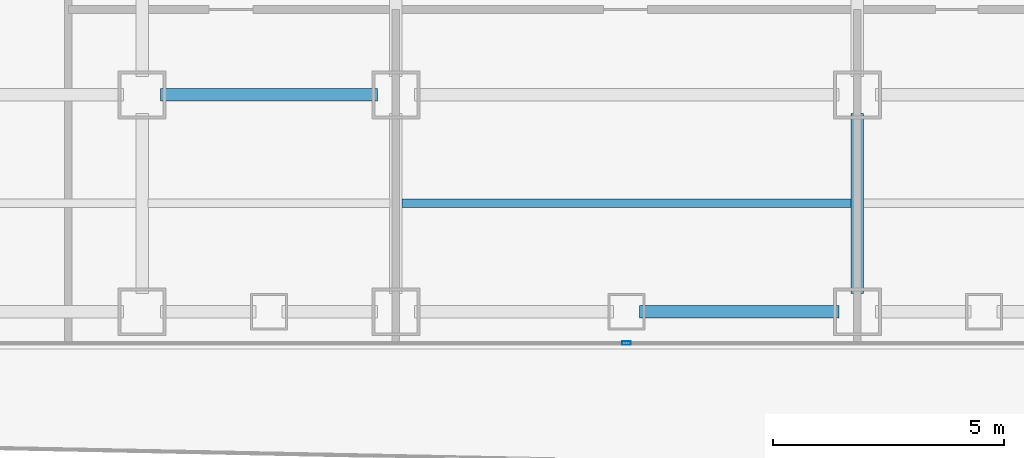
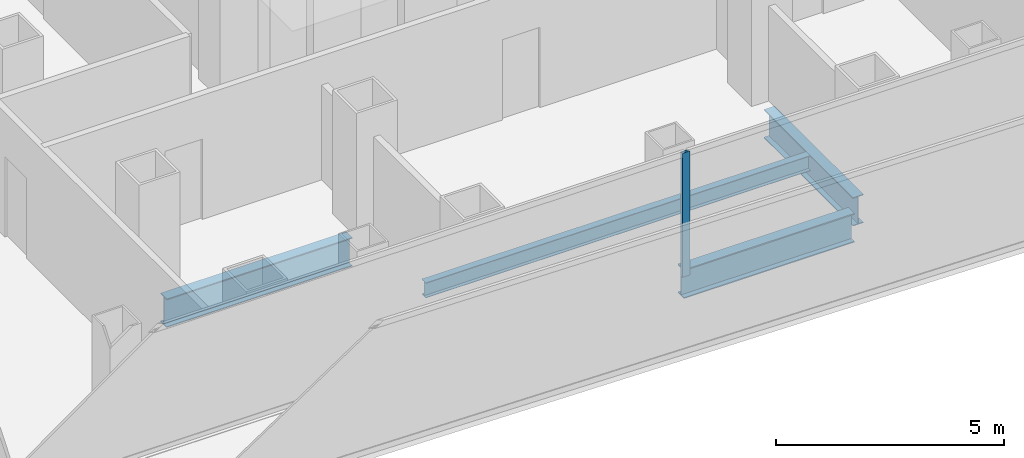
# One storey, part 4 of 21: 4 beams, 1 member, 1 element without a shape of its own.
"""IFC4 building model written with IfcOpenShell, lengths in metres."""

from ifc_helpers import new_model, si_unit, direction, frame, origin, origin_2d, place, context, subcontext, project, spatial, hollow_rectangle, i_section, extrude, source, transform, mapped, material, layer, layer_set, material_profile, profile_set, type_object, element, aggregate, save


model = new_model("IFC4")

# Units and contexts
model_context = context("Model", 3, precision=1e-05, world=origin(), true_north=direction((0.0, 1.0)))
body_context = subcontext(model_context, "Body", "Model", "MODEL_VIEW")
ifc_project = project(units=[si_unit("LENGTHUNIT", "METRE"), si_unit("AREAUNIT", "SQUARE_METRE"), si_unit("VOLUMEUNIT", "CUBIC_METRE"), si_unit("PLANEANGLEUNIT", "RADIAN"), si_unit("MASSUNIT", "GRAM", prefix="KILO")], contexts=[model_context])

# Site, building, storey
site_placement = place(None, origin())
site = spatial("IfcSite", under=ifc_project, at=site_placement, CompositionType="ELEMENT")
building_placement = place(site_placement, origin())
building = spatial("IfcBuilding", under=site, at=building_placement, Name="Kolveth Station Tower", CompositionType="ELEMENT")
storey_placement = place(building_placement, frame((0.0, 0.0, 29.699951171875)))
storey = spatial("IfcBuildingStorey", under=building, at=storey_placement, Name="L07", CompositionType="ELEMENT", Elevation=29.699951171875)

# Beams
ifc_material_1 = material(Name="Steel S355", Category="steel")
ifc_material_profile_1 = material_profile(ifc_material_1, i_section(OverallWidth=0.26904296875, OverallDepth=0.77490234375, WebThickness=0.01708984375, FlangeThickness=0.0283203125, at=origin_2d()), Name="W760x220")
ifc_profile_set_1 = profile_set([ifc_material_profile_1], Name="Steel S355")
beam_type_1 = type_object("IfcBeamType", Name="Beam_SP1", PredefinedType="SPANDREL", material=ifc_profile_set_1)
shared_shape_1 = source(origin(), body_context, "Body", "SweptSolid", [
    extrude(i_section(OverallWidth=0.26904296875, OverallDepth=0.77490234375, WebThickness=0.01708984375, FlangeThickness=0.0283203125, at=origin_2d()), origin(), (0.0, 0.0, 1.0), 4.320068359375),
])
beam_1_placement = place(storey_placement, frame((23.780029296875, 0.800048828125, -0.66748046875), z_axis=(1.0, 0.0, 0.0), x_axis=(0.0, 1.0, 0.0)))
element("IfcBeam", 1, at=beam_1_placement, inside=storey, type_object=beam_type_1, Name="L07 Perimeter Spandrel BM-L07-PS-6", PredefinedType="SPANDREL", context=body_context, shape_type="MappedRepresentation", body=[
    mapped(shared_shape_1, transform((0.0, 0.0, 0.0), x_axis=(1.0, 0.0, 0.0), y_axis=(0.0, 1.0, 0.0), z_axis=(0.0, 0.0, 1.0), scale=1.0)),
])
ifc_material_profile_2 = material_profile(ifc_material_1, i_section(OverallWidth=0.26708984375, OverallDepth=0.76611328125, WebThickness=0.014892578125, FlangeThickness=0.023681640625, at=origin_2d()), Name="W760x185")
ifc_profile_set_2 = profile_set([ifc_material_profile_2], Name="Steel S355")
beam_type_2 = type_object("IfcBeamType", Name="Beam_B3", PredefinedType="BEAM", material=ifc_profile_set_2)
shared_shape_2 = source(origin(), body_context, "Body", "SweptSolid", [
    extrude(i_section(OverallWidth=0.26708984375, OverallDepth=0.76611328125, WebThickness=0.014892578125, FlangeThickness=0.023681640625, at=origin_2d()), origin(), (0.0, 0.0, 1.0), 4.7001953125),
])
beam_2_placement = place(storey_placement, frame((13.39990234375, 5.5, -0.662841796875), z_axis=(1.0, 0.0, 0.0), x_axis=(0.0, 1.0, 0.0)))
element("IfcBeam", 2, at=beam_2_placement, inside=storey, type_object=beam_type_2, Name="L07 Primary Girder BM-L07-GY55-3", PredefinedType="BEAM", context=body_context, shape_type="MappedRepresentation", body=[
    mapped(shared_shape_2, transform((0.0, 0.0, 0.0), x_axis=(1.0, 0.0, 0.0), y_axis=(0.0, 1.0, 0.0), z_axis=(0.0, 0.0, 1.0), scale=1.0)),
])
shared_shape_3 = source(origin(), body_context, "Body", "SweptSolid", [
    extrude(i_section(OverallWidth=0.26708984375, OverallDepth=0.76611328125, WebThickness=0.014892578125, FlangeThickness=0.023681640625, at=origin_2d()), origin(), (0.0, 0.0, 1.0), 3.900146484375),
])
beam_3_placement = place(storey_placement, frame((28.5, 1.199951171875, -0.662841796875), z_axis=(0.0, 1.0, 0.0), x_axis=(-1.0, 0.0, 0.0)))
element("IfcBeam", 3, at=beam_3_placement, inside=storey, type_object=beam_type_2, Name="L07 Primary Girder BM-L07-GX285-1", PredefinedType="BEAM", context=body_context, shape_type="MappedRepresentation", body=[
    mapped(shared_shape_3, transform((0.0, 0.0, 0.0), x_axis=(1.0, 0.0, 0.0), y_axis=(0.0, 1.0, 0.0), z_axis=(0.0, 0.0, 1.0), scale=1.0)),
])
ifc_material_profile_3 = material_profile(ifc_material_1, i_section(OverallWidth=0.177978515625, OverallDepth=0.406982421875, WebThickness=0.0078125, FlangeThickness=0.0126953125, at=origin_2d()), Name="W410x60")
ifc_profile_set_3 = profile_set([ifc_material_profile_3], Name="Steel S355")
beam_type_3 = type_object("IfcBeamType", Name="Beam_J1", PredefinedType="JOIST", material=ifc_profile_set_3)
shared_shape_4 = source(origin(), body_context, "Body", "SweptSolid", [
    extrude(i_section(OverallWidth=0.177978515625, OverallDepth=0.406982421875, WebThickness=0.0078125, FlangeThickness=0.0126953125, at=origin_2d()), origin(), (0.0, 0.0, 1.0), 9.73681640625),
])
beam_4_placement = place(storey_placement, frame((18.631591796875, 3.14990234375, -0.4833984375), z_axis=(1.0, 0.0, 0.0), x_axis=(0.0, 1.0, 0.0)))
element("IfcBeam", 4, at=beam_4_placement, inside=storey, type_object=beam_type_3, Name="L07 Secondary Joist JST-L07-4-1", PredefinedType="JOIST", context=body_context, shape_type="MappedRepresentation", body=[
    mapped(shared_shape_4, transform((0.0, 0.0, 0.0), x_axis=(1.0, 0.0, 0.0), y_axis=(0.0, 1.0, 0.0), z_axis=(0.0, 0.0, 1.0), scale=1.0)),
])

# Curtain wall, member
ifc_material_2 = material(Name="Aluminium 6063-T6 and low-E dark glass", Category="aluminium")
ifc_layer = layer(ifc_material_2, 0.179931640625)
ifc_layer_set = layer_set([ifc_layer], Name="Aluminium 6063-T6 and low-E dark glass")
curtain_wall_type = type_object("IfcCurtainWallType", Name="CurtainWall_CW-Z1", PredefinedType="NOTDEFINED", material=ifc_layer_set)
curtain_wall_placement = place(storey_placement, origin())
curtain_wall = element("IfcCurtainWall", 5, at=curtain_wall_placement, inside=storey, type_object=curtain_wall_type, Name="L07 Inner Thermal Curtain Wall 12", PredefinedType="NOTDEFINED")
ifc_material_3 = material(Name="Black anodized aluminium 6063-T6", Category="aluminium")
ifc_material_profile_4 = material_profile(ifc_material_3, hollow_rectangle(XDim=0.074951171875, YDim=0.18994140625, WallThickness=0.0048828125, at=origin_2d()), Name="ALU-75x190x5")
ifc_profile_set_4 = profile_set([ifc_material_profile_4], Name="Black anodized aluminium 6063-T6")
member_type = type_object("IfcMemberType", Name="Mullion_ML1", PredefinedType="MULLION", material=ifc_profile_set_4)
shared_shape_5 = source(origin(), body_context, "Body", "SweptSolid", [
    extrude(hollow_rectangle(XDim=0.074951171875, YDim=0.18994140625, WallThickness=0.0048828125, at=origin_2d()), origin(), (0.0, 0.0, 1.0), 3.320068359375),
])
member_placement = place(storey_placement, frame((23.5, 0.1201171875, 0.0), z_axis=(0.0, 0.0, 1.0), x_axis=(0.0, 1.0, 0.0)))
member = element("IfcMember", 6, at=member_placement, type_object=member_type, Name="CW-Z1 mullion 2", PredefinedType="MULLION", context=body_context, shape_type="MappedRepresentation", body=[
    mapped(shared_shape_5, transform((0.0, 0.0, 0.0), x_axis=(1.0, 0.0, 0.0), y_axis=(0.0, 1.0, 0.0), z_axis=(0.0, 0.0, 1.0), scale=1.0)),
])
aggregate(curtain_wall, [member])

save(model, "model.ifc")
